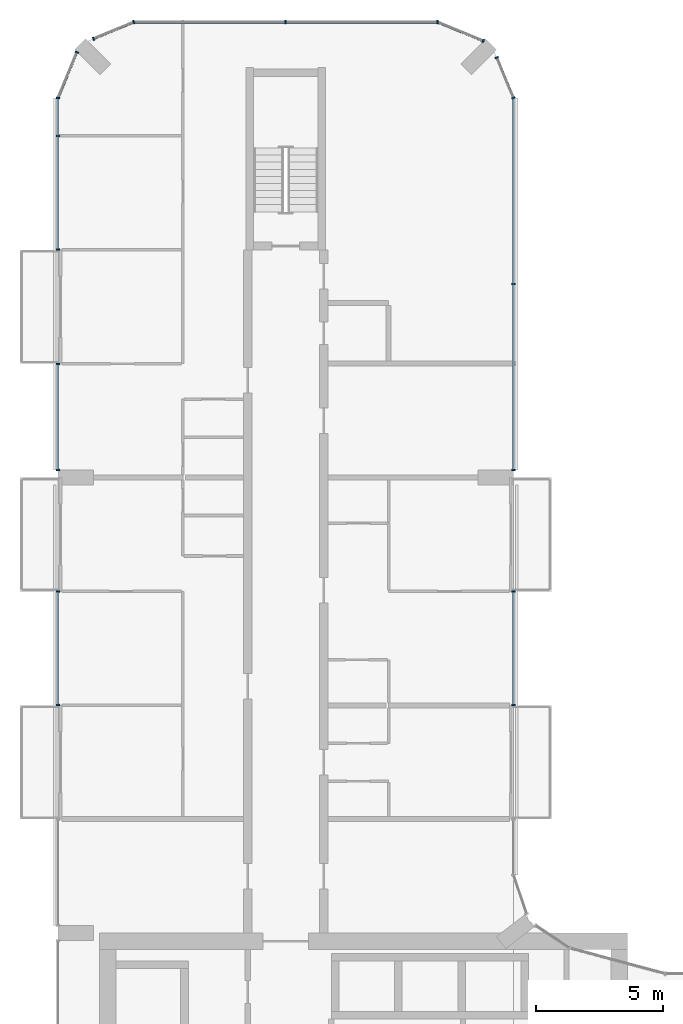
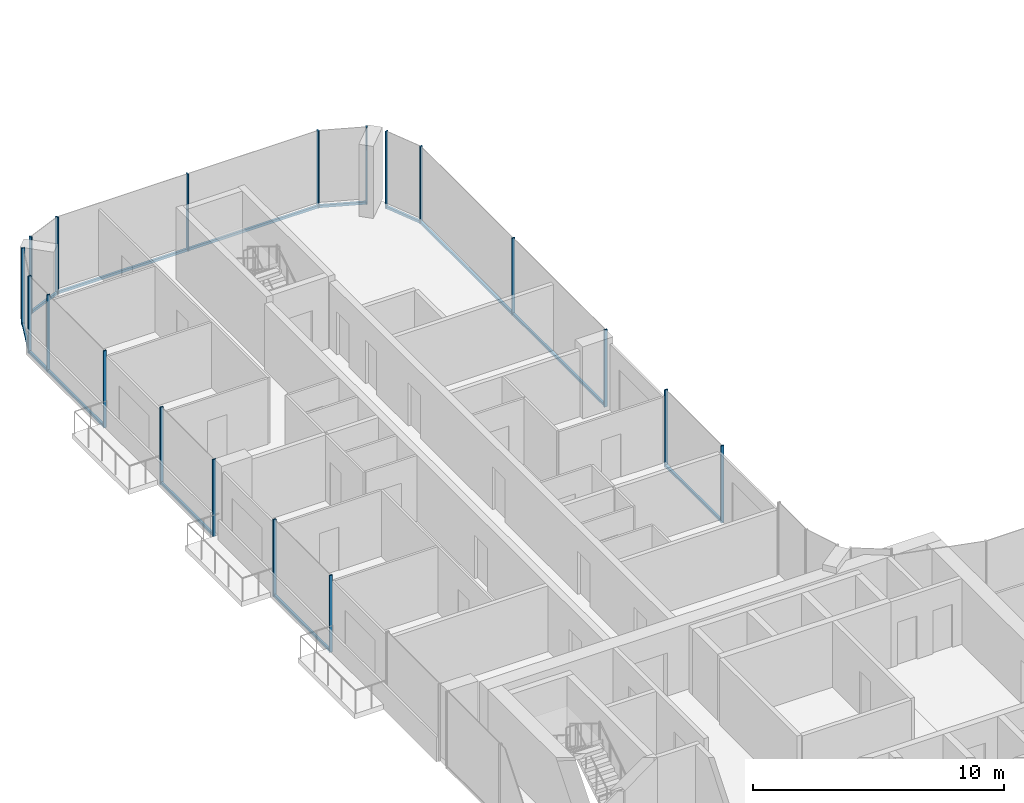
# One storey, part 6 of 19: 29 members, 10 elements without a shape of their own.
"""IFC4 building model written with IfcOpenShell, lengths in metres."""

import ifcopenshell
import ifcopenshell.guid

model = None  # the IFC model being written
_history = None  # IfcOwnerHistory: only IFC2X3 demands one
_inside = {}  # id of a spatial element -> (the spatial element, [elements in it])
_under = {}  # id of a project, library or spatial element -> (it, [spatial elements below it])
_declared = {}  # id of a project -> (the project, [libraries it declares])
_typed = {}  # id of a type object -> (the type object, [elements of that type])
_made_of = {}  # id of a material, layer set ... -> (it, [elements and type objects made of it])


def new_model(schema):
    """Start an empty IFC model of exactly this schema.

    Asked for "IFC4X3", IfcOpenShell would pick the latest addendum, in which some entities
    have other attributes; the version numbers below select the first issue.
    IFC2X3 requires an IfcOwnerHistory on every rooted entity: one is made here for all.
    """
    global model, _history
    if schema == "IFC4X3":
        model = ifcopenshell.file(schema_version=(4, 3, 0, 0))
    else:
        model = ifcopenshell.file(schema=schema)
    _inside.clear()
    _under.clear()
    _declared.clear()
    _typed.clear()
    _made_of.clear()
    _history = None
    if model.schema == "IFC2X3":
        org = make("IfcOrganization", Name="unknown")
        user = make(
            "IfcPersonAndOrganization",
            ThePerson=make("IfcPerson", FamilyName="unknown"),
            TheOrganization=org,
        )
        app = make(
            "IfcApplication",
            ApplicationDeveloper=org,
            Version="unknown",
            ApplicationFullName="unknown",
            ApplicationIdentifier="unknown",
        )
        _history = make(
            "IfcOwnerHistory",
            OwningUser=user,
            OwningApplication=app,
            ChangeAction="ADDED",
            CreationDate=0,
        )
    return model


def make(cls, **values):
    """One entity of the class cls with the attributes given. An attribute that is None is left unset."""
    return model.create_entity(
        cls, **{name: value for name, value in values.items() if value is not None}
    )


def rooted(cls, **values):
    """An entity with a GlobalId (a new one), such as an element, a storey or a relation."""
    return make(cls, GlobalId=ifcopenshell.guid.new(), OwnerHistory=_history, **values)


def si_unit(unit_type, name, prefix=None):
    """IfcSIUnit, for example si_unit("LENGTHUNIT", "METRE", prefix="MILLI")."""
    return make("IfcSIUnit", UnitType=unit_type, Prefix=prefix, Name=name)


def assignment(units):
    """IfcUnitAssignment: the units of a project."""
    return None if units is None else make("IfcUnitAssignment", Units=units)


def point(xyz):
    """IfcCartesianPoint."""
    return None if xyz is None else make("IfcCartesianPoint", Coordinates=xyz)


def direction(xyz):
    """IfcDirection."""
    return None if xyz is None else make("IfcDirection", DirectionRatios=xyz)


def frame(location, z_axis=None, x_axis=None):
    """IfcAxis2Placement3D, a coordinate frame: its origin and axes. An axis left out is left unset."""
    return make(
        "IfcAxis2Placement3D",
        Location=point(location),
        Axis=direction(z_axis),
        RefDirection=direction(x_axis),
    )


def frame_2d(location, x_axis=None):
    """IfcAxis2Placement2D, a coordinate frame in the plane: its origin and x axis."""
    return make(
        "IfcAxis2Placement2D", Location=point(location), RefDirection=direction(x_axis)
    )


def origin():
    """The frame at (0, 0, 0) with its axes left unset."""
    return frame((0.0, 0.0, 0.0))


def origin_2d():
    """The frame at (0, 0) in the plane with its x axis left unset."""
    return frame_2d((0.0, 0.0))


def place(relative_to, where):
    """IfcLocalPlacement: puts the frame where relative to a parent placement (None: the world)."""
    return make(
        "IfcLocalPlacement", PlacementRelTo=relative_to, RelativePlacement=where
    )


def context(
    kind, dimensions, precision=None, world=None, true_north=None, identifier=None
):
    """IfcGeometricRepresentationContext, for example the 3D "Model" context."""
    return make(
        "IfcGeometricRepresentationContext",
        ContextIdentifier=identifier,
        ContextType=kind,
        CoordinateSpaceDimension=dimensions,
        Precision=precision,
        WorldCoordinateSystem=world,
        TrueNorth=true_north,
    )


def subcontext(parent, identifier, kind, view, scale=None):
    """IfcGeometricRepresentationSubContext, for example "Body" below "Model"."""
    return make(
        "IfcGeometricRepresentationSubContext",
        ContextIdentifier=identifier,
        ContextType=kind,
        ParentContext=parent,
        TargetScale=scale,
        TargetView=view,
    )


def project(units=None, contexts=None):
    """IfcProject with its units and contexts."""
    return rooted(
        "IfcProject",
        Name="project",
        RepresentationContexts=contexts,
        UnitsInContext=assignment(units),
    )


def spatial(cls, under=None, at=None, **own):
    """A site, building, storey or space (cls), placed at a placement, below another one or the project."""
    s = rooted(cls, ObjectPlacement=at, **own)
    if under is not None:
        _under.setdefault(under.id(), (under, []))[1].append(s)
    return s


def profile(cls, at=None, kind="AREA", **sizes):
    """A parametric profile (cls). Its sizes go by their IFC names, for example OverallWidth=200.0."""
    return make(cls, ProfileType=kind, Position=at, **sizes)


def rectangle(**sizes):
    """IfcRectangleProfileDef."""
    return profile("IfcRectangleProfileDef", **sizes)


def extrude(swept, where, along, depth):
    """IfcExtrudedAreaSolid: the profile swept, set in the frame where, extruded along a direction by depth."""
    return make(
        "IfcExtrudedAreaSolid",
        SweptArea=swept,
        Position=where,
        ExtrudedDirection=direction(along),
        Depth=depth,
    )


def shape(context_of_items, identifier, shape_type, items):
    """IfcShapeRepresentation: the items that make up one representation, for example the "Body"."""
    return make(
        "IfcShapeRepresentation",
        ContextOfItems=context_of_items,
        RepresentationIdentifier=identifier,
        RepresentationType=shape_type,
        Items=items,
    )


def material(Name=None, Category=None):
    """IfcMaterial."""
    return make("IfcMaterial", Name=Name, Category=Category)


def layer(
    of_material, thickness, ventilated=None, Name=None, Category=None, Priority=None
):
    """IfcMaterialLayer: one layer of a wall or slab, of a material (None: an air gap)."""
    return make(
        "IfcMaterialLayer",
        Material=of_material,
        LayerThickness=thickness,
        IsVentilated=ventilated,
        Name=Name,
        Category=Category,
        Priority=Priority,
    )


def layer_set(layers, Name=None):
    """IfcMaterialLayerSet."""
    return make("IfcMaterialLayerSet", MaterialLayers=layers, LayerSetName=Name)


def material_profile(
    of_material, cross_section, Name=None, Category=None, Priority=None
):
    """IfcMaterialProfile: a cross section and its material."""
    return make(
        "IfcMaterialProfile",
        Name=Name,
        Material=of_material,
        Profile=cross_section,
        Priority=Priority,
        Category=Category,
    )


def profile_set(profiles, Name=None, composite=None):
    """IfcMaterialProfileSet."""
    return make(
        "IfcMaterialProfileSet",
        Name=Name,
        MaterialProfiles=profiles,
        CompositeProfile=composite,
    )


def made_of(thing, what):
    """Note that an element or type object is made of a material, layer set ...; save() writes the relation."""
    if what is not None:
        _made_of.setdefault(what.id(), (what, []))[1].append(thing)
    return thing


def type_object(cls, material=None, **own):
    """A type object (cls), such as IfcWallType, which elements share."""
    return made_of(rooted(cls, **own), material)


def element(
    cls,
    number,
    at=None,
    inside=None,
    cuts=None,
    type_object=None,
    material=None,
    context=None,
    identifier="Body",
    shape_type=None,
    held_by="IfcProductDefinitionShape",
    body=None,
    shapes=None,
    **own,
):
    """One element of the class cls, such as IfcWall. Its Tag is "e" and its number.

    at: its placement. inside: the storey or other place that contains it. cuts: it is an
    opening in that element (IfcRelVoidsElement). A single representation is given by context,
    identifier, shape_type and body (its items); several are given by shapes. held_by: the class
    of the entity that holds the representations. save() writes the other relations.
    """
    e = rooted(cls, Tag="e%d" % number, ObjectPlacement=at, **own)
    if body is not None:
        shapes = [shape(context, identifier, shape_type, body)]
    if shapes is not None:
        e.Representation = make(held_by, Representations=shapes)
    if inside is not None:
        _inside.setdefault(inside.id(), (inside, []))[1].append(e)
    if cuts is not None:
        rooted(
            "IfcRelVoidsElement", RelatingBuildingElement=cuts, RelatedOpeningElement=e
        )
    if type_object is not None:
        _typed.setdefault(type_object.id(), (type_object, []))[1].append(e)
    return made_of(e, material)


def aggregate(whole, parts):
    """IfcRelAggregates: a whole, such as a stair, and the parts it consists of."""
    return rooted("IfcRelAggregates", RelatingObject=whole, RelatedObjects=parts)


def save(model, path):
    """Write the relations noted so far, then the file.

    IfcRelAggregates (storeys below a building ...), IfcRelContainedInSpatialStructure (elements
    in a storey), IfcRelDefinesByType, IfcRelAssociatesMaterial and IfcRelDeclares: one each for
    every whole, place, type object, material and project.
    """
    for whole, parts in _under.values():
        aggregate(whole, parts)
    for where, things in _inside.values():
        rooted(
            "IfcRelContainedInSpatialStructure",
            RelatedElements=things,
            RelatingStructure=where,
        )
    for kind, things in _typed.values():
        rooted("IfcRelDefinesByType", RelatedObjects=things, RelatingType=kind)
    for what, things in _made_of.values():
        rooted("IfcRelAssociatesMaterial", RelatedObjects=things, RelatingMaterial=what)
    for by, libraries in _declared.values():
        rooted("IfcRelDeclares", RelatingContext=by, RelatedDefinitions=libraries)
    model.write(path)


model = new_model("IFC4")

# Units and contexts
model_context = context("Model", 3, precision=1e-05, world=origin(), true_north=direction((0.0, 1.0)))
body_context = subcontext(model_context, "Body", "Model", "MODEL_VIEW")
ifc_project = project(units=[si_unit("LENGTHUNIT", "METRE"), si_unit("AREAUNIT", "SQUARE_METRE"), si_unit("VOLUMEUNIT", "CUBIC_METRE"), si_unit("PLANEANGLEUNIT", "RADIAN"), si_unit("MASSUNIT", "GRAM", prefix="KILO")], contexts=[model_context])

# Site, building, storey
site_placement = place(None, origin())
site = spatial("IfcSite", under=ifc_project, at=site_placement, CompositionType="ELEMENT")
building_placement = place(site_placement, origin())
building = spatial("IfcBuilding", under=site, at=building_placement, Name="Plateau Cross Towers", CompositionType="ELEMENT")
storey_placement = place(building_placement, frame((0.0, 0.0, 120.300048828125)))
storey = spatial("IfcBuildingStorey", under=building, at=storey_placement, Name="L31", CompositionType="ELEMENT", Elevation=120.300048828125)

# Curtain wall, members
ifc_material_1 = material(Name="Dark low-iron glass", Category="glass")
ifc_layer = layer(ifc_material_1, 0.239990234375)
ifc_layer_set = layer_set([ifc_layer], Name="Dark low-iron glass")
curtain_wall_type = type_object("IfcCurtainWallType", Name="Curtain wall flush unitised CW-B", PredefinedType="NOTDEFINED", material=ifc_layer_set)
curtain_wall_1_placement = place(storey_placement, origin())
curtain_wall_1 = element("IfcCurtainWall", 1, at=curtain_wall_1_placement, inside=storey, type_object=curtain_wall_type, Name="ENV/A/L31/A180_270", PredefinedType="NOTDEFINED")
ifc_material_2 = material(Name="Black anodised aluminium", Category="aluminium")
ifc_material_profile_1 = material_profile(ifc_material_2, rectangle(XDim=0.06005859375, YDim=0.139892578125, at=origin_2d()), Name="MULLION 60x140")
ifc_profile_set_1 = profile_set([ifc_material_profile_1], Name="Black anodised aluminium")
member_type_1 = type_object("IfcMemberType", Name="Mullion 60x140 flush unitised", PredefinedType="MULLION", material=ifc_profile_set_1)
member_1_placement = place(storey_placement, frame((18.0, 27.010009765625, -0.25), z_axis=(0.0, 0.0, 1.0), x_axis=(0.0, 1.0, 0.0)))
member_1 = element("IfcMember", 2, at=member_1_placement, type_object=member_type_1, Name="CW-B mullion 1", PredefinedType="MULLION", context=body_context, shape_type="SweptSolid", body=[
    extrude(rectangle(XDim=0.06005859375, YDim=0.139892578125, at=origin_2d()), origin(), (0.0, 0.0, 1.0), 3.75),
])
member_2_placement = place(storey_placement, frame((18.0, 31.489990234375, -0.25), z_axis=(0.0, 0.0, 1.0), x_axis=(0.0, 1.0, 0.0)))
member_2 = element("IfcMember", 3, at=member_2_placement, type_object=member_type_1, Name="CW-B mullion 2", PredefinedType="MULLION", context=body_context, shape_type="SweptSolid", body=[
    extrude(rectangle(XDim=0.06005859375, YDim=0.139892578125, at=origin_2d()), origin(), (0.0, 0.0, 1.0), 3.75),
])

curtain_wall_2_placement = place(storey_placement, origin())
curtain_wall_2 = element("IfcCurtainWall", 4, at=curtain_wall_2_placement, inside=storey, type_object=curtain_wall_type, Name="ENV/A/L31/A180_363", PredefinedType="NOTDEFINED")
member_3_placement = place(storey_placement, frame((18.0, 36.300048828125, -0.25), z_axis=(0.0, 0.0, 1.0), x_axis=(0.0, 1.0, 0.0)))
member_3 = element("IfcMember", 5, at=member_3_placement, type_object=member_type_1, Name="CW-B mullion 1", PredefinedType="MULLION", context=body_context, shape_type="SweptSolid", body=[
    extrude(rectangle(XDim=0.06005859375, YDim=0.139892578125, at=origin_2d()), origin(), (0.0, 0.0, 1.0), 3.75),
])
member_4_placement = place(storey_placement, frame((18.0, 43.64990234375, -0.25), z_axis=(0.0, 0.0, 1.0), x_axis=(0.0, 1.0, 0.0)))
member_4 = element("IfcMember", 6, at=member_4_placement, type_object=member_type_1, Name="CW-B mullion 2", PredefinedType="MULLION", context=body_context, shape_type="SweptSolid", body=[
    extrude(rectangle(XDim=0.06005859375, YDim=0.139892578125, at=origin_2d()), origin(), (0.0, 0.0, 1.0), 3.75),
])

curtain_wall_3_placement = place(storey_placement, origin())
curtain_wall_3 = element("IfcCurtainWall", 7, at=curtain_wall_3_placement, inside=storey, type_object=curtain_wall_type, Name="ENV/A/L31/A180_510", PredefinedType="NOTDEFINED")
member_5_placement = place(storey_placement, frame((18.0, 51.0, -0.25), z_axis=(0.0, 0.0, 1.0), x_axis=(-0.382683612978, 0.923879457699, 0.0)))
member_5 = element("IfcMember", 8, at=member_5_placement, type_object=member_type_1, Name="CW-B mullion 1", PredefinedType="MULLION", context=body_context, shape_type="SweptSolid", body=[
    extrude(rectangle(XDim=0.06005859375, YDim=0.139892578125, at=origin_2d()), origin(), (0.0, 0.0, 1.0), 3.75),
])
member_6_placement = place(storey_placement, frame((17.338623046875, 52.5966796875, -0.25), z_axis=(0.0, 0.0, 1.0), x_axis=(-0.382683612978, 0.923879457699, 0.0)))
member_6 = element("IfcMember", 9, at=member_6_placement, type_object=member_type_1, Name="CW-B mullion 2", PredefinedType="MULLION", context=body_context, shape_type="SweptSolid", body=[
    extrude(rectangle(XDim=0.06005859375, YDim=0.139892578125, at=origin_2d()), origin(), (0.0, 0.0, 1.0), 3.75),
])

# Curtain wall, member
curtain_wall_4_placement = place(storey_placement, origin())
curtain_wall_4 = element("IfcCurtainWall", 10, at=curtain_wall_4_placement, inside=storey, type_object=curtain_wall_type, Name="ENV/A/L31/A168_533", PredefinedType="NOTDEFINED")
member_7_placement = place(storey_placement, frame((16.805908203125, 53.251953125, -0.25), z_axis=(0.0, 0.0, 1.0), x_axis=(-0.923879457699, 0.382683612978, 0.0)))
member_7 = element("IfcMember", 11, at=member_7_placement, type_object=member_type_1, Name="CW-B mullion 1", PredefinedType="MULLION", context=body_context, shape_type="SweptSolid", body=[
    extrude(rectangle(XDim=0.06005859375, YDim=0.139892578125, at=origin_2d()), origin(), (0.0, 0.0, 1.0), 3.75),
])

# Curtain wall, members
curtain_wall_5_placement = place(storey_placement, origin())
curtain_wall_5 = element("IfcCurtainWall", 12, at=curtain_wall_5_placement, inside=storey, type_object=curtain_wall_type, Name="ENV/A/L31/A150_540", PredefinedType="NOTDEFINED")
member_8_placement = place(storey_placement, frame((15.0, 54.0, -0.25), z_axis=(0.0, 0.0, 1.0), x_axis=(-1.0, 0.0, 0.0)))
member_8 = element("IfcMember", 13, at=member_8_placement, type_object=member_type_1, Name="CW-B mullion 1", PredefinedType="MULLION", context=body_context, shape_type="SweptSolid", body=[
    extrude(rectangle(XDim=0.06005859375, YDim=0.139892578125, at=origin_2d()), origin(), (0.0, 0.0, 1.0), 3.75),
])
member_9_placement = place(storey_placement, frame((9.0, 54.0, -0.25), z_axis=(0.0, 0.0, 1.0), x_axis=(-1.0, 0.0, 0.0)))
member_9 = element("IfcMember", 14, at=member_9_placement, type_object=member_type_1, Name="CW-B mullion 2", PredefinedType="MULLION", context=body_context, shape_type="SweptSolid", body=[
    extrude(rectangle(XDim=0.06005859375, YDim=0.139892578125, at=origin_2d()), origin(), (0.0, 0.0, 1.0), 3.75),
])

curtain_wall_6_placement = place(storey_placement, origin())
curtain_wall_6 = element("IfcCurtainWall", 15, at=curtain_wall_6_placement, inside=storey, type_object=curtain_wall_type, Name="ENV/A/L31/A30_540", PredefinedType="NOTDEFINED")
member_10_placement = place(storey_placement, frame((3.0, 54.0, -0.25), z_axis=(0.0, 0.0, 1.0), x_axis=(-0.923879457699, -0.382683612978, 0.0)))
member_10 = element("IfcMember", 16, at=member_10_placement, type_object=member_type_1, Name="CW-B mullion 1", PredefinedType="MULLION", context=body_context, shape_type="SweptSolid", body=[
    extrude(rectangle(XDim=0.06005859375, YDim=0.139892578125, at=origin_2d()), origin(), (0.0, 0.0, 1.0), 3.75),
])
member_11_placement = place(storey_placement, frame((1.4033203125, 53.338623046875, -0.25), z_axis=(0.0, 0.0, 1.0), x_axis=(-0.923879457699, -0.382683612978, 0.0)))
member_11 = element("IfcMember", 17, at=member_11_placement, type_object=member_type_1, Name="CW-B mullion 2", PredefinedType="MULLION", context=body_context, shape_type="SweptSolid", body=[
    extrude(rectangle(XDim=0.06005859375, YDim=0.139892578125, at=origin_2d()), origin(), (0.0, 0.0, 1.0), 3.75),
])

# Curtain wall, member
curtain_wall_7_placement = place(storey_placement, origin())
curtain_wall_7 = element("IfcCurtainWall", 18, at=curtain_wall_7_placement, inside=storey, type_object=curtain_wall_type, Name="ENV/A/L31/A7_528", PredefinedType="NOTDEFINED")
member_12_placement = place(storey_placement, frame((0.748046875, 52.805908203125, -0.25), z_axis=(0.0, 0.0, 1.0), x_axis=(-0.382683612978, -0.923879457699, 0.0)))
member_12 = element("IfcMember", 19, at=member_12_placement, type_object=member_type_1, Name="CW-B mullion 1", PredefinedType="MULLION", context=body_context, shape_type="SweptSolid", body=[
    extrude(rectangle(XDim=0.06005859375, YDim=0.139892578125, at=origin_2d()), origin(), (0.0, 0.0, 1.0), 3.75),
])

# Curtain wall, members
curtain_wall_8_placement = place(storey_placement, origin())
curtain_wall_8 = element("IfcCurtainWall", 20, at=curtain_wall_8_placement, inside=storey, type_object=curtain_wall_type, Name="ENV/A/L31/A0_510", PredefinedType="NOTDEFINED")
member_13_placement = place(storey_placement, frame((0.0, 51.0, -0.25), z_axis=(0.0, 0.0, 1.0), x_axis=(0.0, -1.0, 0.0)))
member_13 = element("IfcMember", 21, at=member_13_placement, type_object=member_type_1, Name="CW-B mullion 1", PredefinedType="MULLION", context=body_context, shape_type="SweptSolid", body=[
    extrude(rectangle(XDim=0.06005859375, YDim=0.139892578125, at=origin_2d()), origin(), (0.0, 0.0, 1.0), 3.75),
])
member_14_placement = place(storey_placement, frame((0.0, 49.5, -0.25), z_axis=(0.0, 0.0, 1.0), x_axis=(0.0, -1.0, 0.0)))
member_14 = element("IfcMember", 22, at=member_14_placement, type_object=member_type_1, Name="CW-B mullion 2", PredefinedType="MULLION", context=body_context, shape_type="SweptSolid", body=[
    extrude(rectangle(XDim=0.06005859375, YDim=0.139892578125, at=origin_2d()), origin(), (0.0, 0.0, 1.0), 3.75),
])
member_15_placement = place(storey_placement, frame((0.0, 45.010009765625, -0.25), z_axis=(0.0, 0.0, 1.0), x_axis=(0.0, -1.0, 0.0)))
member_15 = element("IfcMember", 23, at=member_15_placement, type_object=member_type_1, Name="CW-B mullion 3", PredefinedType="MULLION", context=body_context, shape_type="SweptSolid", body=[
    extrude(rectangle(XDim=0.06005859375, YDim=0.139892578125, at=origin_2d()), origin(), (0.0, 0.0, 1.0), 3.75),
])

curtain_wall_9_placement = place(storey_placement, origin())
curtain_wall_9 = element("IfcCurtainWall", 24, at=curtain_wall_9_placement, inside=storey, type_object=curtain_wall_type, Name="ENV/A/L31/A0_405", PredefinedType="NOTDEFINED")
member_16_placement = place(storey_placement, frame((0.0, 40.489990234375, -0.25), z_axis=(0.0, 0.0, 1.0), x_axis=(0.0, -1.0, 0.0)))
member_16 = element("IfcMember", 25, at=member_16_placement, type_object=member_type_1, Name="CW-B mullion 1", PredefinedType="MULLION", context=body_context, shape_type="SweptSolid", body=[
    extrude(rectangle(XDim=0.06005859375, YDim=0.139892578125, at=origin_2d()), origin(), (0.0, 0.0, 1.0), 3.75),
])
member_17_placement = place(storey_placement, frame((0.0, 36.300048828125, -0.25), z_axis=(0.0, 0.0, 1.0), x_axis=(0.0, -1.0, 0.0)))
member_17 = element("IfcMember", 26, at=member_17_placement, type_object=member_type_1, Name="CW-B mullion 2", PredefinedType="MULLION", context=body_context, shape_type="SweptSolid", body=[
    extrude(rectangle(XDim=0.06005859375, YDim=0.139892578125, at=origin_2d()), origin(), (0.0, 0.0, 1.0), 3.75),
])

curtain_wall_10_placement = place(storey_placement, origin())
curtain_wall_10 = element("IfcCurtainWall", 27, at=curtain_wall_10_placement, inside=storey, type_object=curtain_wall_type, Name="ENV/A/L31/A0_315", PredefinedType="NOTDEFINED")
member_18_placement = place(storey_placement, frame((0.0, 31.489990234375, -0.25), z_axis=(0.0, 0.0, 1.0), x_axis=(0.0, -1.0, 0.0)))
member_18 = element("IfcMember", 28, at=member_18_placement, type_object=member_type_1, Name="CW-B mullion 1", PredefinedType="MULLION", context=body_context, shape_type="SweptSolid", body=[
    extrude(rectangle(XDim=0.06005859375, YDim=0.139892578125, at=origin_2d()), origin(), (0.0, 0.0, 1.0), 3.75),
])
member_19_placement = place(storey_placement, frame((0.0, 27.010009765625, -0.25), z_axis=(0.0, 0.0, 1.0), x_axis=(0.0, -1.0, 0.0)))
member_19 = element("IfcMember", 29, at=member_19_placement, type_object=member_type_1, Name="CW-B mullion 2", PredefinedType="MULLION", context=body_context, shape_type="SweptSolid", body=[
    extrude(rectangle(XDim=0.06005859375, YDim=0.139892578125, at=origin_2d()), origin(), (0.0, 0.0, 1.0), 3.75),
])

# Member
ifc_material_profile_2 = material_profile(ifc_material_2, rectangle(XDim=0.10009765625, YDim=0.1201171875, at=origin_2d()), Name="TRANSOM 100x120")
ifc_profile_set_2 = profile_set([ifc_material_profile_2], Name="Black anodised aluminium")
member_type_2 = type_object("IfcMemberType", Name="Transom 100x120 flush unitised", PredefinedType="USERDEFINED", material=ifc_profile_set_2)
member_20_placement = place(storey_placement, frame((18.0, 27.010009765625, -0.18994140625), z_axis=(0.0, 1.0, 0.0), x_axis=(-1.0, 0.0, 0.0)))
member_20 = element("IfcMember", 30, at=member_20_placement, type_object=member_type_2, Name="CW-B transom", ObjectType="TRANSOM", PredefinedType="USERDEFINED", context=body_context, shape_type="SweptSolid", body=[
    extrude(rectangle(XDim=0.10009765625, YDim=0.1201171875, at=origin_2d()), origin(), (0.0, 0.0, 1.0), 4.47998046875),
])

aggregate(curtain_wall_1, [member_1, member_2, member_20])

member_21_placement = place(storey_placement, frame((18.0, 36.300048828125, -0.18994140625), z_axis=(0.0, 1.0, 0.0), x_axis=(-1.0, 0.0, 0.0)))
member_21 = element("IfcMember", 31, at=member_21_placement, type_object=member_type_2, Name="CW-B transom", ObjectType="TRANSOM", PredefinedType="USERDEFINED", context=body_context, shape_type="SweptSolid", body=[
    extrude(rectangle(XDim=0.10009765625, YDim=0.1201171875, at=origin_2d()), origin(), (0.0, 0.0, 1.0), 14.699951171875),
])

aggregate(curtain_wall_2, [member_3, member_4, member_21])

member_22_placement = place(storey_placement, frame((18.0, 51.0, -0.18994140625), z_axis=(-0.382688653628, 0.923877369776, 0.0), x_axis=(-0.923877369776, -0.382688653628, 0.0)))
member_22 = element("IfcMember", 32, at=member_22_placement, type_object=member_type_2, Name="CW-B transom", ObjectType="TRANSOM", PredefinedType="USERDEFINED", context=body_context, shape_type="SweptSolid", body=[
    extrude(rectangle(XDim=0.10009765625, YDim=0.1201171875, at=origin_2d()), origin(), (0.0, 0.0, 1.0), 1.728271484375),
])

aggregate(curtain_wall_3, [member_5, member_6, member_22])

member_23_placement = place(storey_placement, frame((16.805908203125, 53.251953125, -0.18994140625), z_axis=(-0.92387678234, 0.382690071798, 0.0), x_axis=(-0.382690071798, -0.92387678234, 0.0)))
member_23 = element("IfcMember", 33, at=member_23_placement, type_object=member_type_2, Name="CW-B transom", ObjectType="TRANSOM", PredefinedType="USERDEFINED", context=body_context, shape_type="SweptSolid", body=[
    extrude(rectangle(XDim=0.10009765625, YDim=0.1201171875, at=origin_2d()), origin(), (0.0, 0.0, 1.0), 1.95458984375),
])

aggregate(curtain_wall_4, [member_7, member_23])

member_24_placement = place(storey_placement, frame((15.0, 54.0, -0.18994140625), z_axis=(-1.0, 0.0, 0.0), x_axis=(0.0, -1.0, 0.0)))
member_24 = element("IfcMember", 34, at=member_24_placement, type_object=member_type_2, Name="CW-B transom", ObjectType="TRANSOM", PredefinedType="USERDEFINED", context=body_context, shape_type="SweptSolid", body=[
    extrude(rectangle(XDim=0.10009765625, YDim=0.1201171875, at=origin_2d()), origin(), (0.0, 0.0, 1.0), 12.0),
])

aggregate(curtain_wall_5, [member_8, member_9, member_24])

member_25_placement = place(storey_placement, frame((3.0, 54.0, -0.18994140625), z_axis=(-0.923877369776, -0.382688653628, 0.0), x_axis=(0.382688653628, -0.923877369776, 0.0)))
member_25 = element("IfcMember", 35, at=member_25_placement, type_object=member_type_2, Name="CW-B transom", ObjectType="TRANSOM", PredefinedType="USERDEFINED", context=body_context, shape_type="SweptSolid", body=[
    extrude(rectangle(XDim=0.10009765625, YDim=0.1201171875, at=origin_2d()), origin(), (0.0, 0.0, 1.0), 1.728271484375),
])

aggregate(curtain_wall_6, [member_10, member_11, member_25])

member_26_placement = place(storey_placement, frame((0.748046875, 52.805908203125, -0.18994140625), z_axis=(-0.382690071798, -0.92387678234, 0.0), x_axis=(0.92387678234, -0.382690071798, 0.0)))
member_26 = element("IfcMember", 36, at=member_26_placement, type_object=member_type_2, Name="CW-B transom", ObjectType="TRANSOM", PredefinedType="USERDEFINED", context=body_context, shape_type="SweptSolid", body=[
    extrude(rectangle(XDim=0.10009765625, YDim=0.1201171875, at=origin_2d()), origin(), (0.0, 0.0, 1.0), 1.95458984375),
])

aggregate(curtain_wall_7, [member_12, member_26])

member_27_placement = place(storey_placement, frame((0.0, 51.0, -0.18994140625), z_axis=(0.0, -1.0, 0.0), x_axis=(1.0, 0.0, 0.0)))
member_27 = element("IfcMember", 37, at=member_27_placement, type_object=member_type_2, Name="CW-B transom", ObjectType="TRANSOM", PredefinedType="USERDEFINED", context=body_context, shape_type="SweptSolid", body=[
    extrude(rectangle(XDim=0.10009765625, YDim=0.1201171875, at=origin_2d()), origin(), (0.0, 0.0, 1.0), 5.989990234375),
])

aggregate(curtain_wall_8, [member_13, member_14, member_15, member_27])

member_28_placement = place(storey_placement, frame((0.0, 40.489990234375, -0.18994140625), z_axis=(0.0, -1.0, 0.0), x_axis=(1.0, 0.0, 0.0)))
member_28 = element("IfcMember", 38, at=member_28_placement, type_object=member_type_2, Name="CW-B transom", ObjectType="TRANSOM", PredefinedType="USERDEFINED", context=body_context, shape_type="SweptSolid", body=[
    extrude(rectangle(XDim=0.10009765625, YDim=0.1201171875, at=origin_2d()), origin(), (0.0, 0.0, 1.0), 4.18994140625),
])

aggregate(curtain_wall_9, [member_16, member_17, member_28])

member_29_placement = place(storey_placement, frame((0.0, 31.489990234375, -0.18994140625), z_axis=(0.0, -1.0, 0.0), x_axis=(1.0, 0.0, 0.0)))
member_29 = element("IfcMember", 39, at=member_29_placement, type_object=member_type_2, Name="CW-B transom", ObjectType="TRANSOM", PredefinedType="USERDEFINED", context=body_context, shape_type="SweptSolid", body=[
    extrude(rectangle(XDim=0.10009765625, YDim=0.1201171875, at=origin_2d()), origin(), (0.0, 0.0, 1.0), 4.47998046875),
])

aggregate(curtain_wall_10, [member_18, member_19, member_29])

save(model, "model.ifc")
